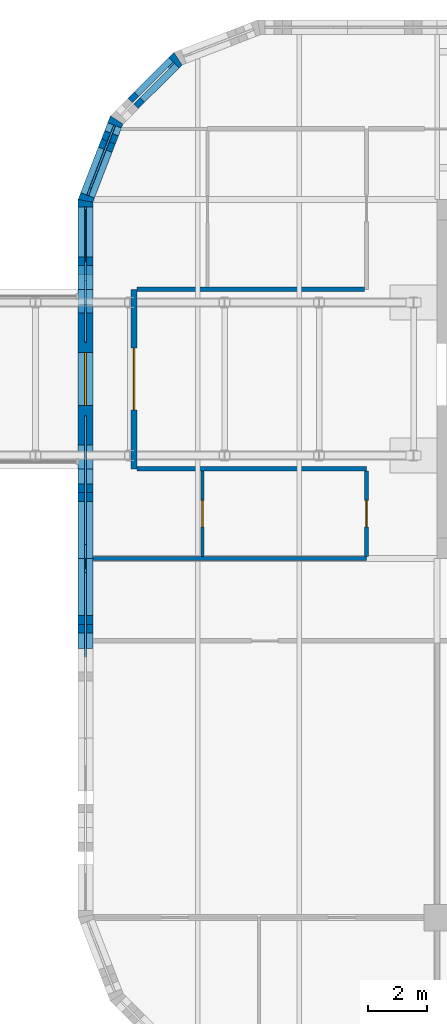
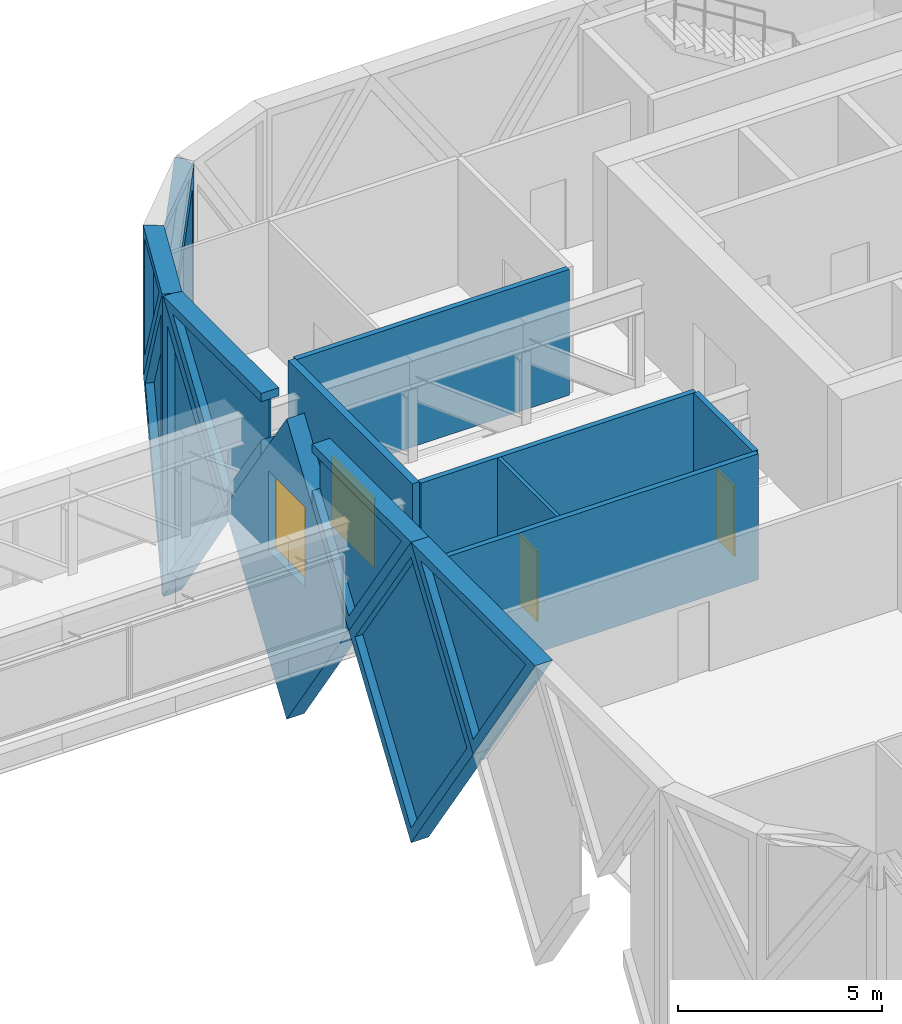
# One storey, part 22 of 30: 15 walls, 8 plates, 4 doors, 12 openings.
"""IFC4 building model written with IfcOpenShell, lengths in metres."""

import ifcopenshell
import ifcopenshell.guid

model = None  # the IFC model being written
_history = None  # IfcOwnerHistory: only IFC2X3 demands one
_inside = {}  # id of a spatial element -> (the spatial element, [elements in it])
_under = {}  # id of a project, library or spatial element -> (it, [spatial elements below it])
_declared = {}  # id of a project -> (the project, [libraries it declares])
_typed = {}  # id of a type object -> (the type object, [elements of that type])
_made_of = {}  # id of a material, layer set ... -> (it, [elements and type objects made of it])


def new_model(schema):
    """Start an empty IFC model of exactly this schema.

    Asked for "IFC4X3", IfcOpenShell would pick the latest addendum, in which some entities
    have other attributes; the version numbers below select the first issue.
    IFC2X3 requires an IfcOwnerHistory on every rooted entity: one is made here for all.
    """
    global model, _history
    if schema == "IFC4X3":
        model = ifcopenshell.file(schema_version=(4, 3, 0, 0))
    else:
        model = ifcopenshell.file(schema=schema)
    _inside.clear()
    _under.clear()
    _declared.clear()
    _typed.clear()
    _made_of.clear()
    _history = None
    if model.schema == "IFC2X3":
        org = make("IfcOrganization", Name="unknown")
        user = make(
            "IfcPersonAndOrganization",
            ThePerson=make("IfcPerson", FamilyName="unknown"),
            TheOrganization=org,
        )
        app = make(
            "IfcApplication",
            ApplicationDeveloper=org,
            Version="unknown",
            ApplicationFullName="unknown",
            ApplicationIdentifier="unknown",
        )
        _history = make(
            "IfcOwnerHistory",
            OwningUser=user,
            OwningApplication=app,
            ChangeAction="ADDED",
            CreationDate=0,
        )
    return model


def make(cls, **values):
    """One entity of the class cls with the attributes given. An attribute that is None is left unset."""
    return model.create_entity(
        cls, **{name: value for name, value in values.items() if value is not None}
    )


def rooted(cls, **values):
    """An entity with a GlobalId (a new one), such as an element, a storey or a relation."""
    return make(cls, GlobalId=ifcopenshell.guid.new(), OwnerHistory=_history, **values)


def si_unit(unit_type, name, prefix=None):
    """IfcSIUnit, for example si_unit("LENGTHUNIT", "METRE", prefix="MILLI")."""
    return make("IfcSIUnit", UnitType=unit_type, Prefix=prefix, Name=name)


def assignment(units):
    """IfcUnitAssignment: the units of a project."""
    return None if units is None else make("IfcUnitAssignment", Units=units)


def point(xyz):
    """IfcCartesianPoint."""
    return None if xyz is None else make("IfcCartesianPoint", Coordinates=xyz)


def direction(xyz):
    """IfcDirection."""
    return None if xyz is None else make("IfcDirection", DirectionRatios=xyz)


def frame(location, z_axis=None, x_axis=None):
    """IfcAxis2Placement3D, a coordinate frame: its origin and axes. An axis left out is left unset."""
    return make(
        "IfcAxis2Placement3D",
        Location=point(location),
        Axis=direction(z_axis),
        RefDirection=direction(x_axis),
    )


def frame_2d(location, x_axis=None):
    """IfcAxis2Placement2D, a coordinate frame in the plane: its origin and x axis."""
    return make(
        "IfcAxis2Placement2D", Location=point(location), RefDirection=direction(x_axis)
    )


def origin():
    """The frame at (0, 0, 0) with its axes left unset."""
    return frame((0.0, 0.0, 0.0))


def place(relative_to, where):
    """IfcLocalPlacement: puts the frame where relative to a parent placement (None: the world)."""
    return make(
        "IfcLocalPlacement", PlacementRelTo=relative_to, RelativePlacement=where
    )


def context(
    kind, dimensions, precision=None, world=None, true_north=None, identifier=None
):
    """IfcGeometricRepresentationContext, for example the 3D "Model" context."""
    return make(
        "IfcGeometricRepresentationContext",
        ContextIdentifier=identifier,
        ContextType=kind,
        CoordinateSpaceDimension=dimensions,
        Precision=precision,
        WorldCoordinateSystem=world,
        TrueNorth=true_north,
    )


def subcontext(parent, identifier, kind, view, scale=None):
    """IfcGeometricRepresentationSubContext, for example "Body" below "Model"."""
    return make(
        "IfcGeometricRepresentationSubContext",
        ContextIdentifier=identifier,
        ContextType=kind,
        ParentContext=parent,
        TargetScale=scale,
        TargetView=view,
    )


def project(units=None, contexts=None):
    """IfcProject with its units and contexts."""
    return rooted(
        "IfcProject",
        Name="project",
        RepresentationContexts=contexts,
        UnitsInContext=assignment(units),
    )


def spatial(cls, under=None, at=None, **own):
    """A site, building, storey or space (cls), placed at a placement, below another one or the project."""
    s = rooted(cls, ObjectPlacement=at, **own)
    if under is not None:
        _under.setdefault(under.id(), (under, []))[1].append(s)
    return s


def polyline(points):
    """IfcPolyline through the points."""
    return make("IfcPolyline", Points=[point(p) for p in points])


def profile(cls, at=None, kind="AREA", **sizes):
    """A parametric profile (cls). Its sizes go by their IFC names, for example OverallWidth=200.0."""
    return make(cls, ProfileType=kind, Position=at, **sizes)


def rectangle(**sizes):
    """IfcRectangleProfileDef."""
    return profile("IfcRectangleProfileDef", **sizes)


def outline(outer, holes=None, kind="AREA"):
    """IfcArbitraryClosedProfileDef: a profile drawn as a closed curve; with holes, ...WithVoids."""
    if holes is None:
        return make("IfcArbitraryClosedProfileDef", ProfileType=kind, OuterCurve=outer)
    return make(
        "IfcArbitraryProfileDefWithVoids",
        ProfileType=kind,
        OuterCurve=outer,
        InnerCurves=holes,
    )


def extrude(swept, where, along, depth):
    """IfcExtrudedAreaSolid: the profile swept, set in the frame where, extruded along a direction by depth."""
    return make(
        "IfcExtrudedAreaSolid",
        SweptArea=swept,
        Position=where,
        ExtrudedDirection=direction(along),
        Depth=depth,
    )


def faces_of(points, faces, orient=None, outer=None):
    """IfcFace entities. A face is a list of loops; a loop is a list of indices into points, from 0.

    orient and outer hold one flag for each loop. By default every Orientation is true, the
    first loop of a face is its IfcFaceOuterBound and the others are IfcFaceBound.
    """
    made = []
    for i, loops in enumerate(faces):
        bounds = []
        for j, loop in enumerate(loops):
            is_outer = j == 0 if outer is None else outer[i][j]
            bounds.append(
                make(
                    "IfcFaceOuterBound" if is_outer else "IfcFaceBound",
                    Bound=make("IfcPolyLoop", Polygon=[points[k] for k in loop]),
                    Orientation=True if orient is None else orient[i][j],
                )
            )
        made.append(make("IfcFace", Bounds=bounds))
    return made


def faceted_brep(points, faces, orient=None, outer=None, voids=None):
    """IfcFacetedBrep: a solid bounded by flat faces; with voids (closed shells), ...WithVoids."""
    shared = [point(p) for p in points]
    hull = make("IfcClosedShell", CfsFaces=faces_of(shared, faces, orient, outer))
    if voids is None:
        return make("IfcFacetedBrep", Outer=hull)
    return make(
        "IfcFacetedBrepWithVoids",
        Outer=hull,
        Voids=[
            make(cls, CfsFaces=faces_of(shared, fs, o, b)) for cls, fs, o, b in voids
        ],
    )


def shape(context_of_items, identifier, shape_type, items):
    """IfcShapeRepresentation: the items that make up one representation, for example the "Body"."""
    return make(
        "IfcShapeRepresentation",
        ContextOfItems=context_of_items,
        RepresentationIdentifier=identifier,
        RepresentationType=shape_type,
        Items=items,
    )


def source(mapping_origin, context_of_items, identifier, shape_type, items):
    """IfcRepresentationMap: a shape defined once, which mapped items show again and again."""
    return make(
        "IfcRepresentationMap",
        MappingOrigin=mapping_origin,
        MappedRepresentation=shape(context_of_items, identifier, shape_type, items),
    )


def transform(
    local_origin,
    x_axis=None,
    y_axis=None,
    z_axis=None,
    scale=None,
    scale2=None,
    scale3=None,
    uniform=True,
):
    """IfcCartesianTransformationOperator3D, or its non-uniform kind. x_axis, y_axis, z_axis: its Axis1, 2, 3."""
    if uniform:
        return make(
            "IfcCartesianTransformationOperator3D",
            Axis1=direction(x_axis),
            Axis2=direction(y_axis),
            LocalOrigin=point(local_origin),
            Scale=scale,
            Axis3=direction(z_axis),
        )
    return make(
        "IfcCartesianTransformationOperator3DnonUniform",
        Axis1=direction(x_axis),
        Axis2=direction(y_axis),
        LocalOrigin=point(local_origin),
        Scale=scale,
        Axis3=direction(z_axis),
        Scale2=scale2,
        Scale3=scale3,
    )


def mapped(mapping_source, mapping_target):
    """IfcMappedItem: shows the shape of a source again, moved by a transform."""
    return make(
        "IfcMappedItem", MappingSource=mapping_source, MappingTarget=mapping_target
    )


def material(Name=None, Category=None):
    """IfcMaterial."""
    return make("IfcMaterial", Name=Name, Category=Category)


def layer(
    of_material, thickness, ventilated=None, Name=None, Category=None, Priority=None
):
    """IfcMaterialLayer: one layer of a wall or slab, of a material (None: an air gap)."""
    return make(
        "IfcMaterialLayer",
        Material=of_material,
        LayerThickness=thickness,
        IsVentilated=ventilated,
        Name=Name,
        Category=Category,
        Priority=Priority,
    )


def layer_set(layers, Name=None):
    """IfcMaterialLayerSet."""
    return make("IfcMaterialLayerSet", MaterialLayers=layers, LayerSetName=Name)


def made_of(thing, what):
    """Note that an element or type object is made of a material, layer set ...; save() writes the relation."""
    if what is not None:
        _made_of.setdefault(what.id(), (what, []))[1].append(thing)
    return thing


def type_object(cls, material=None, **own):
    """A type object (cls), such as IfcWallType, which elements share."""
    return made_of(rooted(cls, **own), material)


def element(
    cls,
    number,
    at=None,
    inside=None,
    cuts=None,
    type_object=None,
    material=None,
    context=None,
    identifier="Body",
    shape_type=None,
    held_by="IfcProductDefinitionShape",
    body=None,
    shapes=None,
    **own,
):
    """One element of the class cls, such as IfcWall. Its Tag is "e" and its number.

    at: its placement. inside: the storey or other place that contains it. cuts: it is an
    opening in that element (IfcRelVoidsElement). A single representation is given by context,
    identifier, shape_type and body (its items); several are given by shapes. held_by: the class
    of the entity that holds the representations. save() writes the other relations.
    """
    e = rooted(cls, Tag="e%d" % number, ObjectPlacement=at, **own)
    if body is not None:
        shapes = [shape(context, identifier, shape_type, body)]
    if shapes is not None:
        e.Representation = make(held_by, Representations=shapes)
    if inside is not None:
        _inside.setdefault(inside.id(), (inside, []))[1].append(e)
    if cuts is not None:
        rooted(
            "IfcRelVoidsElement", RelatingBuildingElement=cuts, RelatedOpeningElement=e
        )
    if type_object is not None:
        _typed.setdefault(type_object.id(), (type_object, []))[1].append(e)
    return made_of(e, material)


def fill(opening, filler):
    """IfcRelFillsElement: the door or window that sits in an opening."""
    return rooted(
        "IfcRelFillsElement",
        RelatingOpeningElement=opening,
        RelatedBuildingElement=filler,
    )


def aggregate(whole, parts):
    """IfcRelAggregates: a whole, such as a stair, and the parts it consists of."""
    return rooted("IfcRelAggregates", RelatingObject=whole, RelatedObjects=parts)


def save(model, path):
    """Write the relations noted so far, then the file.

    IfcRelAggregates (storeys below a building ...), IfcRelContainedInSpatialStructure (elements
    in a storey), IfcRelDefinesByType, IfcRelAssociatesMaterial and IfcRelDeclares: one each for
    every whole, place, type object, material and project.
    """
    for whole, parts in _under.values():
        aggregate(whole, parts)
    for where, things in _inside.values():
        rooted(
            "IfcRelContainedInSpatialStructure",
            RelatedElements=things,
            RelatingStructure=where,
        )
    for kind, things in _typed.values():
        rooted("IfcRelDefinesByType", RelatedObjects=things, RelatingType=kind)
    for what, things in _made_of.values():
        rooted("IfcRelAssociatesMaterial", RelatedObjects=things, RelatingMaterial=what)
    for by, libraries in _declared.values():
        rooted("IfcRelDeclares", RelatingContext=by, RelatedDefinitions=libraries)
    model.write(path)


model = new_model("IFC4")

# Units and contexts
model_context = context("Model", 3, precision=1e-05, world=origin(), true_north=direction((0.0, 1.0)))
body_context = subcontext(model_context, "Body", "Model", "MODEL_VIEW")
ifc_project = project(units=[si_unit("LENGTHUNIT", "METRE"), si_unit("AREAUNIT", "SQUARE_METRE"), si_unit("VOLUMEUNIT", "CUBIC_METRE"), si_unit("PLANEANGLEUNIT", "RADIAN"), si_unit("MASSUNIT", "GRAM", prefix="KILO")], contexts=[model_context])

# Site, building, storey
site_placement = place(None, origin())
site = spatial("IfcSite", under=ifc_project, at=site_placement, CompositionType="ELEMENT")
building_placement = place(site_placement, origin())
building = spatial("IfcBuilding", under=site, at=building_placement, Name="Tessera Gate Towers", CompositionType="ELEMENT")
storey_placement = place(building_placement, frame((0.0, 0.0, 21.300048828125)))
storey = spatial("IfcBuildingStorey", under=building, at=storey_placement, Name="L04", CompositionType="ELEMENT", Elevation=21.300048828125)

# Wall, opening, door
ifc_material_1 = material(Name="Gypsum board on steel studs", Category="steel")
ifc_layer_1 = layer(ifc_material_1, 0.199951171875)
ifc_layer_set_1 = layer_set([ifc_layer_1], Name="BRIDGE LANDING WALL 200")
wall_type_1 = type_object("IfcWallType", Name="BRIDGE LANDING WALL 200", PredefinedType="PARTITIONING", material=ifc_layer_set_1)
wall_1_placement = place(storey_placement, frame((87.300048828125, 45.75, 0.0), z_axis=(0.0, 0.0, 1.0), x_axis=(0.0, -1.0, 0.0)))
wall_1 = element("IfcWall", 1, at=wall_1_placement, inside=storey, type_object=wall_type_1, Name="L04 bridge landing wall", PredefinedType="PARTITIONING", context=body_context, shape_type="SweptSolid", body=[
    extrude(rectangle(XDim=6.10009765625, YDim=0.199951171875, at=frame_2d((3.050048828125, 0.0))), origin(), (0.0, 0.0, 1.0), 3.766845703125),
])
shared_shape_1 = source(origin(), body_context, "Body", "SweptSolid", [
    extrude(rectangle(XDim=2.10009765625, YDim=2.10009765625, at=frame_2d((1.050048828125, 1.050048828125))), frame((0.0, 0.10986328125, 0.0), z_axis=(0.0, -1.0, 0.0), x_axis=(1.0, 0.0, 0.0)), (0.0, 0.0, 1.0), 0.219970703125),
])
opening_1_placement = place(wall_1_placement, frame((2.0, 0.0, 0.0)))
opening_1 = element("IfcOpeningElement", 2, at=opening_1_placement, cuts=wall_1, Name="Opening XD-BR1-T2", PredefinedType="OPENING", context=body_context, shape_type="MappedRepresentation", body=[
    mapped(shared_shape_1, transform((0.0, 0.0, 0.0), scale=1.0)),
])
ifc_material_2 = material(Name="Hollow steel fire door", Category="steel")
door_type_1 = type_object("IfcDoorType", Name="CORE DOOR XD 2100x2100", OperationType="NOTDEFINED", PredefinedType="DOOR", material=ifc_material_2)
shared_shape_2 = source(origin(), body_context, "Body", "SweptSolid", [
    extrude(rectangle(XDim=2.10009765625, YDim=2.10009765625, at=frame_2d((1.050048828125, 1.050048828125))), frame((0.0, 0.02490234375, 0.0), z_axis=(0.0, -1.0, 0.0), x_axis=(1.0, 0.0, 0.0)), (0.0, 0.0, 1.0), 0.050048828125),
])
door_1_placement = place(opening_1_placement, origin())
door_1 = element("IfcDoor", 3, at=door_1_placement, inside=storey, type_object=door_type_1, Name="Bridge fire door", OperationType="DOUBLE_DOOR_SINGLE_SWING", OverallHeight=2.10009765625, OverallWidth=2.10009765625, PredefinedType="DOOR", context=body_context, shape_type="MappedRepresentation", body=[
    mapped(shared_shape_2, transform((0.0, 0.0, 0.0), scale=1.0)),
])
fill(opening_1, door_1)

# Wall
ifc_material_3 = material(Name="Gypsum board on steel studs, mineral wool", Category="steel")
ifc_layer_2 = layer(ifc_material_3, 0.14990234375)
ifc_layer_set_2 = layer_set([ifc_layer_2], Name="CORRIDOR WALL 150")
wall_type_2 = type_object("IfcWallType", Name="CORRIDOR WALL 150", PredefinedType="PARTITIONING", material=ifc_layer_set_2)
wall_2_placement = place(storey_placement, frame((85.89990234375, 36.60009765625, 0.0), z_axis=(0.0, 0.0, 1.0), x_axis=(1.0, 0.0, 0.0)))
element("IfcWall", 4, at=wall_2_placement, inside=storey, type_object=wall_type_2, Name="T2-L04-PW-024", PredefinedType="PARTITIONING", context=body_context, shape_type="SweptSolid", body=[
    extrude(rectangle(XDim=9.300048828125, YDim=0.14990234375, at=frame_2d((4.64990234375, 0.0))), origin(), (0.0, 0.0, 1.0), 3.766845703125),
])

# Wall, opening, door
wall_3_placement = place(storey_placement, frame((95.199951171875, 36.676025390625, 0.0), z_axis=(0.0, 0.0, 1.0), x_axis=(0.0, 1.0, 0.0)))
wall_3 = element("IfcWall", 5, at=wall_3_placement, inside=storey, type_object=wall_type_2, Name="T2-L04-PW-028", PredefinedType="PARTITIONING", context=body_context, shape_type="SweptSolid", body=[
    extrude(rectangle(XDim=2.89794921875, YDim=0.14990234375, at=frame_2d((1.448974609375, 0.0))), origin(), (0.0, 0.0, 1.0), 3.766845703125),
])
shared_shape_3 = source(origin(), body_context, "Body", "SweptSolid", [
    extrude(rectangle(XDim=0.89990234375, YDim=2.10009765625, at=frame_2d((0.449951171875, 1.050048828125))), frame((0.0, 0.0849609375, 0.0), z_axis=(0.0, -1.0, 0.0), x_axis=(1.0, 0.0, 0.0)), (0.0, 0.0, 1.0), 0.169921875),
])
opening_2_placement = place(wall_3_placement, frame((1.0, 0.0, 0.0)))
opening_2 = element("IfcOpeningElement", 6, at=opening_2_placement, cuts=wall_3, Name="Opening D890FD60-B02-05", PredefinedType="OPENING", context=body_context, shape_type="MappedRepresentation", body=[
    mapped(shared_shape_3, transform((0.0, 0.0, 0.0), scale=1.0)),
])
ifc_material_4 = material(Name="Timber door leaf in steel frame", Category="steel")
door_type_2 = type_object("IfcDoorType", Name="CORRIDOR DOOR 900 FD60", OperationType="NOTDEFINED", PredefinedType="DOOR", material=ifc_material_4)
shared_shape_4 = source(origin(), body_context, "Body", "SweptSolid", [
    extrude(rectangle(XDim=0.89990234375, YDim=2.10009765625, at=frame_2d((0.449951171875, 1.050048828125))), frame((0.0, 0.02490234375, 0.0), z_axis=(0.0, -1.0, 0.0), x_axis=(1.0, 0.0, 0.0)), (0.0, 0.0, 1.0), 0.050048828125),
])
door_2_placement = place(opening_2_placement, origin())
door_2 = element("IfcDoor", 7, at=door_2_placement, inside=storey, type_object=door_type_2, Name="T2-L04-PD-020", OperationType="SINGLE_SWING_LEFT", OverallHeight=2.10009765625, OverallWidth=0.89990234375, PredefinedType="DOOR", context=body_context, shape_type="MappedRepresentation", body=[
    mapped(shared_shape_4, transform((0.0, 0.0, 0.0), scale=1.0)),
])
fill(opening_2, door_2)

# Walls
wall_4_placement = place(storey_placement, frame((87.39990234375, 39.64990234375, 0.0), z_axis=(0.0, 0.0, 1.0), x_axis=(1.0, 0.0, 0.0)))
element("IfcWall", 8, at=wall_4_placement, inside=storey, type_object=wall_type_2, Name="T2-L04-PW-030", PredefinedType="PARTITIONING", context=body_context, shape_type="SweptSolid", body=[
    extrude(rectangle(XDim=7.800048828125, YDim=0.14990234375, at=frame_2d((3.89990234375, 0.0))), origin(), (0.0, 0.0, 1.0), 3.766845703125),
])
wall_5_placement = place(storey_placement, frame((87.39990234375, 45.75, 0.0), z_axis=(0.0, 0.0, 1.0), x_axis=(1.0, 0.0, 0.0)))
element("IfcWall", 9, at=wall_5_placement, inside=storey, type_object=wall_type_2, Name="T2-L04-PW-035", PredefinedType="PARTITIONING", context=body_context, shape_type="SweptSolid", body=[
    extrude(rectangle(XDim=7.72412109375, YDim=0.14990234375, at=frame_2d((3.862060546875, 0.0))), origin(), (0.0, 0.0, 1.0), 3.766845703125),
])

# Wall, opening, door
ifc_material_5 = material(Name="Gypsum board on steel studs", Category="steel")
ifc_layer_3 = layer(ifc_material_5, 0.10009765625)
ifc_layer_set_3 = layer_set([ifc_layer_3], Name="PARTITION 100")
wall_type_3 = type_object("IfcWallType", Name="PARTITION 100", PredefinedType="PARTITIONING", material=ifc_layer_set_3)
wall_6_placement = place(storey_placement, frame((89.6201171875, 36.676025390625, 0.0), z_axis=(0.0, 0.0, 1.0), x_axis=(0.0, 1.0, 0.0)))
wall_6 = element("IfcWall", 10, at=wall_6_placement, inside=storey, type_object=wall_type_3, Name="T2-L04-PW-027", PredefinedType="PARTITIONING", context=body_context, shape_type="SweptSolid", body=[
    extrude(rectangle(XDim=2.89794921875, YDim=0.10009765625, at=frame_2d((1.448974609375, 0.0))), origin(), (0.0, 0.0, 1.0), 3.766845703125),
])
shared_shape_5 = source(origin(), body_context, "Body", "SweptSolid", [
    extrude(rectangle(XDim=0.89990234375, YDim=2.10009765625, at=frame_2d((0.449951171875, 1.050048828125))), frame((0.0, 0.06005859375, 0.0), z_axis=(0.0, -1.0, 0.0), x_axis=(1.0, 0.0, 0.0)), (0.0, 0.0, 1.0), 0.1201171875),
])
opening_3_placement = place(wall_6_placement, frame((1.0, 0.0, 0.0)))
opening_3 = element("IfcOpeningElement", 11, at=opening_3_placement, cuts=wall_6, Name="Opening D190-B02-01", PredefinedType="OPENING", context=body_context, shape_type="MappedRepresentation", body=[
    mapped(shared_shape_5, transform((0.0, 0.0, 0.0), scale=1.0)),
])
ifc_material_6 = material(Name="Timber door leaf in steel frame", Category="steel")
door_type_3 = type_object("IfcDoorType", Name="INTERNAL DOOR 900 NOT RATED", OperationType="NOTDEFINED", PredefinedType="DOOR", material=ifc_material_6)
door_3_placement = place(opening_3_placement, origin())
door_3 = element("IfcDoor", 12, at=door_3_placement, inside=storey, type_object=door_type_3, Name="T2-L04-PD-001", OperationType="SINGLE_SWING_LEFT", OverallHeight=2.10009765625, OverallWidth=0.89990234375, PredefinedType="DOOR", context=body_context, shape_type="MappedRepresentation", body=[
    mapped(shared_shape_4, transform((0.0, 0.0, 0.0), scale=1.0)),
])
fill(opening_3, door_3)

# Wall, opening, plate
ifc_material_7 = material(Name="Precast concrete C60/75 white", Category="concrete")
ifc_layer_4 = layer(ifc_material_7, 0.5)
ifc_layer_set_4 = layer_set([ifc_layer_4], Name="TS1 tessera")
wall_type_4 = type_object("IfcWallType", Name="TS1 tessera", PredefinedType="SOLIDWALL", material=ifc_layer_set_4)
shared_shape_6 = source(origin(), body_context, "Body", "Brep", [
    faceted_brep([(3.050048828125, -0.25, 0.0), (6.099853515625, -0.25, 4.499755859375), (6.099853515625, -0.25, 4.500244140625), (3.050048828125, -0.25, 9.0), (0.0, -0.25, 4.5), (0.0, 0.25, 4.5), (3.050048828125, 0.25, 9.0), (6.099853515625, 0.25, 4.500244140625), (6.099853515625, 0.25, 4.499755859375), (3.050048828125, 0.25, 0.0)], [[[0, 1, 2, 3, 4]], [[5, 6, 7, 8, 9]], [[9, 8, 1, 0]], [[7, 6, 3, 2]], [[6, 5, 4, 3]], [[5, 9, 0, 4]], [[1, 8, 7, 2]]]),
])
wall_7_placement = place(storey_placement, frame((85.64990234375, 39.64990234375, -4.5), z_axis=(0.0, 0.0, 1.0), x_axis=(0.0, -1.0, 0.0)))
wall_7 = element("IfcWall", 13, at=wall_7_placement, inside=storey, type_object=wall_type_4, Name="Precast tessera T2 TS1-0016", PredefinedType="SOLIDWALL", context=body_context, shape_type="MappedRepresentation", body=[
    mapped(shared_shape_6, transform((0.0, 0.0, 0.0), scale=1.0)),
])
shared_shape_7 = source(origin(), body_context, "Body", "SweptSolid", [
    extrude(outline(polyline([(3.050048828125, 0.445556640625), (5.798095703125, 4.5), (3.050048828125, 8.554443359375), (0.302001953125, 4.5), (3.050048828125, 0.445556640625)])), frame((0.0, 0.260009765625, 0.0), z_axis=(0.0, -1.0, 0.0), x_axis=(1.0, 0.0, 0.0)), (0.0, 0.0, 1.0), 0.52001953125),
])
opening_4_placement = place(wall_7_placement, origin())
opening_4 = element("IfcOpeningElement", 14, at=opening_4_placement, cuts=wall_7, Name="Opening T2-PL2-0028", PredefinedType="OPENING", context=body_context, shape_type="MappedRepresentation", body=[
    mapped(shared_shape_7, transform((0.0, 0.0, 0.0), scale=1.0)),
])
ifc_material_8 = material(Name="Low-e laminated glass", Category="glass")
ifc_layer_5 = layer(ifc_material_8, 0.06005859375)
ifc_layer_set_5 = layer_set([ifc_layer_5], Name="PL2 rhombic pane")
plate_type_1 = type_object("IfcPlateType", Name="PL2 rhombic pane", PredefinedType="SHEET", material=ifc_layer_set_5)
shared_shape_8 = source(origin(), body_context, "Body", "SweptSolid", [
    extrude(outline(polyline([(3.050048828125, 0.445556640625), (5.798095703125, 4.5), (3.050048828125, 8.554443359375), (0.302001953125, 4.5), (3.050048828125, 0.445556640625)])), frame((0.0, 0.030029296875, 0.0), z_axis=(0.0, -1.0, 0.0), x_axis=(1.0, 0.0, 0.0)), (0.0, 0.0, 1.0), 0.06005859375),
])
plate_1_placement = place(opening_4_placement, origin())
plate_1 = element("IfcPlate", 15, at=plate_1_placement, inside=storey, type_object=plate_type_1, Name="Glass pane T2 PL2-0028", PredefinedType="SHEET", context=body_context, shape_type="MappedRepresentation", body=[
    mapped(shared_shape_8, transform((0.0, 0.0, 0.0), scale=1.0)),
])
fill(opening_4, plate_1)

# Wall, opening, door
ifc_material_9 = material(Name="Precast concrete C60/75 white", Category="concrete")
ifc_layer_6 = layer(ifc_material_9, 0.5)
ifc_layer_set_6 = layer_set([ifc_layer_6], Name="TS4 bridge door tessera")
wall_type_5 = type_object("IfcWallType", Name="TS4 bridge door tessera", PredefinedType="SOLIDWALL", material=ifc_layer_set_6)
shared_shape_9 = source(origin(), body_context, "Body", "SweptSolid", [
    extrude(outline(polyline([(3.050048828125, 0.0), (6.10009765625, 4.5), (3.050048828125, 9.0), (0.0, 4.5), (3.050048828125, 0.0)])), frame((0.0, 0.25, 0.0), z_axis=(0.0, -1.0, 0.0), x_axis=(1.0, 0.0, 0.0)), (0.0, 0.0, 1.0), 0.5),
])
wall_8_placement = place(storey_placement, frame((85.64990234375, 45.75, -4.5), z_axis=(0.0, 0.0, 1.0), x_axis=(0.0, -1.0, 0.0)))
wall_8 = element("IfcWall", 16, at=wall_8_placement, inside=storey, type_object=wall_type_5, Name="Precast bridge door tessera T2 TS4-0002", PredefinedType="SOLIDWALL", context=body_context, shape_type="MappedRepresentation", body=[
    mapped(shared_shape_9, transform((0.0, 0.0, 0.0), scale=1.0)),
])
shared_shape_10 = source(origin(), body_context, "Body", "SweptSolid", [
    extrude(rectangle(XDim=1.800048828125, YDim=2.39990234375, at=frame_2d((0.89990234375, 1.199951171875))), frame((0.0, 0.260009765625, 0.0), z_axis=(0.0, -1.0, 0.0), x_axis=(1.0, 0.0, 0.0)), (0.0, 0.0, 1.0), 0.52001953125),
])
opening_5_placement = place(wall_8_placement, frame((2.14990234375, 0.0, 4.5)))
opening_5 = element("IfcOpeningElement", 17, at=opening_5_placement, cuts=wall_8, Name="Opening D-E201", PredefinedType="OPENING", context=body_context, shape_type="MappedRepresentation", body=[
    mapped(shared_shape_10, transform((0.0, 0.0, 0.0), scale=1.0)),
])
ifc_material_10 = material(Name="Steel and glass fire door", Category="steel")
ifc_layer_7 = layer(ifc_material_10, 0.06005859375)
ifc_layer_set_7 = layer_set([ifc_layer_7], Name="DL5 tessera fire door")
door_type_4 = type_object("IfcDoorType", Name="DL5 tessera fire door", OperationType="DOUBLE_DOOR_SINGLE_SWING", PredefinedType="DOOR", material=ifc_layer_set_7)
shared_shape_11 = source(origin(), body_context, "Body", "SweptSolid", [
    extrude(rectangle(XDim=1.800048828125, YDim=2.39990234375, at=frame_2d((0.89990234375, 1.199951171875))), frame((0.0, 0.030029296875, 0.0), z_axis=(0.0, -1.0, 0.0), x_axis=(1.0, 0.0, 0.0)), (0.0, 0.0, 1.0), 0.06005859375),
])
door_4_placement = place(opening_5_placement, origin())
door_4 = element("IfcDoor", 18, at=door_4_placement, inside=storey, type_object=door_type_4, Name="Bridge door D-E201", OperationType="DOUBLE_DOOR_SINGLE_SWING", OverallHeight=2.39990234375, OverallWidth=1.800048828125, PredefinedType="DOOR", context=body_context, shape_type="MappedRepresentation", body=[
    mapped(shared_shape_11, transform((0.0, 0.0, 0.0), scale=1.0)),
])
fill(opening_5, door_4)

# Wall, opening, plate
ifc_material_11 = material(Name="Precast concrete C60/75 white", Category="concrete")
ifc_layer_8 = layer(ifc_material_11, 0.5)
ifc_layer_set_8 = layer_set([ifc_layer_8], Name="TS3 corner tessera")
wall_type_6 = type_object("IfcWallType", Name="TS3 corner tessera", PredefinedType="SOLIDWALL", material=ifc_layer_set_8)
shared_shape_12 = source(origin(), body_context, "Body", "Brep", [
    faceted_brep([(0.052978515625, -0.25, 0.0), (2.9970703125, -0.25, 4.5), (0.052978515625, -0.25, 9.0), (0.0, -0.25, 8.919189453125), (0.0, -0.25, 0.080810546875), (0.10595703125, 0.25, 8.919189453125), (2.944091796875, 0.25, 4.580810546875), (2.944091796875, 0.25, 4.419189453125), (0.10595703125, 0.25, 0.080810546875), (2.9970703125, 0.000244140625, 4.5), (0.052978515625, 0.0, 0.0), (0.052978515625, 0.0, 9.0)], [[[0, 1, 2, 3, 4]], [[5, 6, 7, 8]], [[8, 7, 9, 1, 0, 10]], [[6, 5, 11, 2, 1, 9]], [[3, 2, 11]], [[10, 0, 4]], [[8, 10, 4, 3, 11, 5]], [[9, 7, 6]]]),
])
wall_9_placement = place(storey_placement, frame((88.831298828125, 53.62548828125, -4.5), z_axis=(0.0, 0.0, 1.0), x_axis=(-0.707147509625, -0.707066050402, 0.0)))
wall_9 = element("IfcWall", 19, at=wall_9_placement, inside=storey, type_object=wall_type_6, Name="Precast corner tessera T2 TS3-0026", PredefinedType="SOLIDWALL", context=body_context, shape_type="MappedRepresentation", body=[
    mapped(shared_shape_12, transform((0.0, 0.0, 0.0), scale=1.0)),
])
shared_shape_13 = source(origin(), body_context, "Body", "SweptSolid", [
    extrude(outline(polyline([(0.2529296875, 0.76220703125), (2.698486328125, 4.5), (0.2529296875, 8.237548828125), (0.2529296875, 0.76220703125)])), frame((0.0, 0.260009765625, 0.0), z_axis=(0.0, -1.0, 0.0), x_axis=(1.0, 0.0, 0.0)), (0.0, 0.0, 1.0), 0.52001953125),
])
opening_6_placement = place(wall_9_placement, origin())
opening_6 = element("IfcOpeningElement", 20, at=opening_6_placement, cuts=wall_9, Name="Opening T2-PL2-0025", PredefinedType="OPENING", context=body_context, shape_type="MappedRepresentation", body=[
    mapped(shared_shape_13, transform((0.0, 0.0, 0.0), scale=1.0)),
])
shared_shape_14 = source(origin(), body_context, "Body", "SweptSolid", [
    extrude(outline(polyline([(0.2529296875, 0.76220703125), (2.698486328125, 4.5), (0.2529296875, 8.237548828125), (0.2529296875, 0.76220703125)])), frame((0.0, 0.030029296875, 0.0), z_axis=(0.0, -1.0, 0.0), x_axis=(1.0, 0.0, 0.0)), (0.0, 0.0, 1.0), 0.06005859375),
])
plate_2_placement = place(opening_6_placement, origin())
plate_2 = element("IfcPlate", 21, at=plate_2_placement, inside=storey, type_object=plate_type_1, Name="Glass pane T2 PL2-0025", PredefinedType="SHEET", context=body_context, shape_type="MappedRepresentation", body=[
    mapped(shared_shape_14, transform((0.0, 0.0, 0.0), scale=1.0)),
])
fill(opening_6, plate_2)

shared_shape_15 = source(origin(), body_context, "Body", "Brep", [
    faceted_brep([(0.046630859375, -0.25, 0.0), (3.050048828125, -0.25, 4.5), (0.046630859375, -0.25, 9.0), (0.0, -0.25, 8.928955078125), (0.0, -0.25, 0.071044921875), (0.09326171875, 0.25, 8.93017578125), (3.050048828125, 0.25, 4.5), (0.09326171875, 0.25, 0.06982421875), (0.046630859375, 0.0, 0.0), (0.046630859375, 0.0, 9.0)], [[[0, 1, 2, 3, 4]], [[5, 6, 7]], [[7, 6, 1, 0, 8]], [[6, 5, 9, 2, 1]], [[3, 2, 9]], [[8, 0, 4]], [[7, 8, 4, 3, 9, 5]]]),
])
wall_10_placement = place(storey_placement, frame((85.64990234375, 48.800048828125, -4.5), z_axis=(0.0, 0.0, 1.0), x_axis=(0.0, -1.0, 0.0)))
wall_10 = element("IfcWall", 22, at=wall_10_placement, inside=storey, type_object=wall_type_6, Name="Precast corner tessera T2 TS3-0028", PredefinedType="SOLIDWALL", context=body_context, shape_type="MappedRepresentation", body=[
    mapped(shared_shape_15, transform((0.0, 0.0, 0.0), scale=1.0)),
])
shared_shape_16 = source(origin(), body_context, "Body", "SweptSolid", [
    extrude(outline(polyline([(0.24658203125, 0.75), (2.74951171875, 4.5), (0.24658203125, 8.25), (0.24658203125, 0.75)])), frame((0.0, 0.260009765625, 0.0), z_axis=(0.0, -1.0, 0.0), x_axis=(1.0, 0.0, 0.0)), (0.0, 0.0, 1.0), 0.52001953125),
])
opening_7_placement = place(wall_10_placement, origin())
opening_7 = element("IfcOpeningElement", 23, at=opening_7_placement, cuts=wall_10, Name="Opening T2-PL2-0027", PredefinedType="OPENING", context=body_context, shape_type="MappedRepresentation", body=[
    mapped(shared_shape_16, transform((0.0, 0.0, 0.0), scale=1.0)),
])
shared_shape_17 = source(origin(), body_context, "Body", "SweptSolid", [
    extrude(outline(polyline([(0.24658203125, 0.75), (2.74951171875, 4.5), (0.24658203125, 8.25), (0.24658203125, 0.75)])), frame((0.0, 0.030029296875, 0.0), z_axis=(0.0, -1.0, 0.0), x_axis=(1.0, 0.0, 0.0)), (0.0, 0.0, 1.0), 0.06005859375),
])
plate_3_placement = place(opening_7_placement, origin())
plate_3 = element("IfcPlate", 24, at=plate_3_placement, inside=storey, type_object=plate_type_1, Name="Glass pane T2 PL2-0027", PredefinedType="SHEET", context=body_context, shape_type="MappedRepresentation", body=[
    mapped(shared_shape_17, transform((0.0, 0.0, 0.0), scale=1.0)),
])
fill(opening_7, plate_3)

shared_shape_18 = source(origin(), body_context, "Body", "Brep", [
    faceted_brep([(2.950439453125, -0.25, 0.0), (2.9970703125, -0.25, 0.06982421875), (2.9970703125, -0.25, 8.93017578125), (2.950439453125, -0.25, 9.0), (0.0, -0.25, 4.5), (0.052978515625, 0.25, 4.580810546875), (2.904052734375, 0.25, 8.92919921875), (2.904052734375, 0.25, 0.07080078125), (0.052978515625, 0.25, 4.419189453125), (2.950439453125, 0.00048828125, 0.0), (2.950439453125, 0.00048828125, 9.0), (0.0, 0.0, 4.5)], [[[0, 1, 2, 3, 4]], [[5, 6, 7, 8]], [[1, 0, 9]], [[10, 3, 2]], [[6, 5, 11, 4, 3, 10]], [[8, 7, 9, 0, 4, 11]], [[8, 11, 5]], [[1, 9, 7, 6, 10, 2]]]),
])
wall_11_placement = place(storey_placement, frame((86.7119140625, 51.50634765625, -4.5), z_axis=(0.0, 0.0, 1.0), x_axis=(-0.359874094142, -0.933000876937, 0.0)))
wall_11 = element("IfcWall", 25, at=wall_11_placement, inside=storey, type_object=wall_type_6, Name="Precast corner tessera T2 TS3-0027", PredefinedType="SOLIDWALL", context=body_context, shape_type="MappedRepresentation", body=[
    mapped(shared_shape_18, transform((0.0, 0.0, 0.0), scale=1.0)),
])
shared_shape_19 = source(origin(), body_context, "Body", "SweptSolid", [
    extrude(outline(polyline([(2.75048828125, 8.239013671875), (0.298828125, 4.5), (2.75048828125, 0.760986328125), (2.75048828125, 8.239013671875)])), frame((0.0, 0.260009765625, 0.0), z_axis=(0.0, -1.0, 0.0), x_axis=(1.0, 0.0, 0.0)), (0.0, 0.0, 1.0), 0.52001953125),
])
opening_8_placement = place(wall_11_placement, origin())
opening_8 = element("IfcOpeningElement", 26, at=opening_8_placement, cuts=wall_11, Name="Opening T2-PL2-0026", PredefinedType="OPENING", context=body_context, shape_type="MappedRepresentation", body=[
    mapped(shared_shape_19, transform((0.0, 0.0, 0.0), scale=1.0)),
])
shared_shape_20 = source(origin(), body_context, "Body", "SweptSolid", [
    extrude(outline(polyline([(2.75048828125, 8.239013671875), (0.298828125, 4.5), (2.75048828125, 0.760986328125), (2.75048828125, 8.239013671875)])), frame((0.0, 0.030029296875, 0.0), z_axis=(0.0, -1.0, 0.0), x_axis=(1.0, 0.0, 0.0)), (0.0, 0.0, 1.0), 0.06005859375),
])
plate_4_placement = place(opening_8_placement, origin())
plate_4 = element("IfcPlate", 27, at=plate_4_placement, inside=storey, type_object=plate_type_1, Name="Glass pane T2 PL2-0026", PredefinedType="SHEET", context=body_context, shape_type="MappedRepresentation", body=[
    mapped(shared_shape_20, transform((0.0, 0.0, 0.0), scale=1.0)),
])
fill(opening_8, plate_4)

ifc_material_12 = material(Name="Precast concrete C60/75 white", Category="concrete")
ifc_layer_9 = layer(ifc_material_12, 0.5)
ifc_layer_set_9 = layer_set([ifc_layer_9], Name="TS2 half tessera")
wall_type_7 = type_object("IfcWallType", Name="TS2 half tessera", PredefinedType="SOLIDWALL", material=ifc_layer_set_9)
shared_shape_21 = source(origin(), body_context, "Body", "SweptSolid", [
    extrude(outline(polyline([(3.050048828125, 0.0), (6.10009765625, 4.5), (0.0, 4.5), (3.050048828125, 0.0)])), frame((0.0, 0.25, 0.0), z_axis=(0.0, -1.0, 0.0), x_axis=(1.0, 0.0, 0.0)), (0.0, 0.0, 1.0), 0.5),
])
wall_12_placement = place(storey_placement, frame((85.64990234375, 36.60009765625, 0.0), z_axis=(0.0, 0.0, 1.0), x_axis=(0.0, -1.0, 0.0)))
wall_12 = element("IfcWall", 28, at=wall_12_placement, inside=storey, type_object=wall_type_7, Name="Precast half tessera T2 TS2-0034", PredefinedType="SOLIDWALL", context=body_context, shape_type="MappedRepresentation", body=[
    mapped(shared_shape_21, transform((0.0, 0.0, 0.0), scale=1.0)),
])
shared_shape_22 = source(origin(), body_context, "Body", "SweptSolid", [
    extrude(outline(polyline([(3.050048828125, 0.445556640625), (5.628662109375, 4.25), (0.471435546875, 4.25), (3.050048828125, 0.445556640625)])), frame((0.0, 0.260009765625, 0.0), z_axis=(0.0, -1.0, 0.0), x_axis=(1.0, 0.0, 0.0)), (0.0, 0.0, 1.0), 0.52001953125),
])
opening_9_placement = place(wall_12_placement, origin())
opening_9 = element("IfcOpeningElement", 29, at=opening_9_placement, cuts=wall_12, Name="Opening T2-PL1-0064", PredefinedType="OPENING", context=body_context, shape_type="MappedRepresentation", body=[
    mapped(shared_shape_22, transform((0.0, 0.0, 0.0), scale=1.0)),
])
ifc_material_13 = material(Name="Low-e laminated glass", Category="glass")
ifc_layer_10 = layer(ifc_material_13, 0.06005859375)
ifc_layer_set_10 = layer_set([ifc_layer_10], Name="PL1 triangular pane")
plate_type_2 = type_object("IfcPlateType", Name="PL1 triangular pane", PredefinedType="SHEET", material=ifc_layer_set_10)
shared_shape_23 = source(origin(), body_context, "Body", "SweptSolid", [
    extrude(outline(polyline([(3.050048828125, 0.445556640625), (5.628662109375, 4.25), (0.471435546875, 4.25), (3.050048828125, 0.445556640625)])), frame((0.0, 0.030029296875, 0.0), z_axis=(0.0, -1.0, 0.0), x_axis=(1.0, 0.0, 0.0)), (0.0, 0.0, 1.0), 0.06005859375),
])
plate_5_placement = place(opening_9_placement, origin())
plate_5 = element("IfcPlate", 30, at=plate_5_placement, inside=storey, type_object=plate_type_2, Name="Glass pane T2 PL1-0064", PredefinedType="SHEET", context=body_context, shape_type="MappedRepresentation", body=[
    mapped(shared_shape_23, transform((0.0, 0.0, 0.0), scale=1.0)),
])
fill(opening_9, plate_5)

shared_shape_24 = source(origin(), body_context, "Body", "Brep", [
    faceted_brep([(0.052978515625, -0.25, 0.0), (3.00341796875, -0.25, 4.5), (0.0, -0.25, 4.5), (0.0, -0.25, 0.080810546875), (0.10595703125, 0.25, 4.5), (2.95703125, 0.25, 4.5), (2.95703125, 0.25, 4.42919921875), (0.10595703125, 0.25, 0.080810546875), (3.00341796875, 0.00048828125, 4.5), (0.052978515625, 0.0, 0.0)], [[[0, 1, 2, 3]], [[4, 5, 6, 7]], [[7, 6, 8, 1, 0, 9]], [[5, 4, 2, 1, 8]], [[9, 0, 3]], [[7, 9, 3, 2, 4]], [[6, 5, 8]]]),
])
wall_13_placement = place(storey_placement, frame((86.73095703125, 51.5556640625, 0.0), z_axis=(0.0, 0.0, 1.0), x_axis=(-0.359855894603, -0.933007896601, 0.0)))
wall_13 = element("IfcWall", 31, at=wall_13_placement, inside=storey, type_object=wall_type_6, Name="Precast corner tessera T2 TS3-0046", PredefinedType="SOLIDWALL", context=body_context, shape_type="MappedRepresentation", body=[
    mapped(shared_shape_24, transform((0.0, 0.0, 0.0), scale=1.0)),
])
shared_shape_25 = source(origin(), body_context, "Body", "SweptSolid", [
    extrude(outline(polyline([(0.2529296875, 0.760986328125), (2.54052734375, 4.25), (0.2529296875, 4.25), (0.2529296875, 0.760986328125)])), frame((0.0, 0.260009765625, 0.0), z_axis=(0.0, -1.0, 0.0), x_axis=(1.0, 0.0, 0.0)), (0.0, 0.0, 1.0), 0.52001953125),
])
opening_10_placement = place(wall_13_placement, origin())
opening_10 = element("IfcOpeningElement", 32, at=opening_10_placement, cuts=wall_13, Name="Opening T2-PL1-0061", PredefinedType="OPENING", context=body_context, shape_type="MappedRepresentation", body=[
    mapped(shared_shape_25, transform((0.0, 0.0, 0.0), scale=1.0)),
])
shared_shape_26 = source(origin(), body_context, "Body", "SweptSolid", [
    extrude(outline(polyline([(0.2529296875, 0.760986328125), (2.54052734375, 4.25), (0.2529296875, 4.25), (0.2529296875, 0.760986328125)])), frame((0.0, 0.030029296875, 0.0), z_axis=(0.0, -1.0, 0.0), x_axis=(1.0, 0.0, 0.0)), (0.0, 0.0, 1.0), 0.06005859375),
])
plate_6_placement = place(opening_10_placement, origin())
plate_6 = element("IfcPlate", 33, at=plate_6_placement, inside=storey, type_object=plate_type_2, Name="Glass pane T2 PL1-0061", PredefinedType="SHEET", context=body_context, shape_type="MappedRepresentation", body=[
    mapped(shared_shape_26, transform((0.0, 0.0, 0.0), scale=1.0)),
])
fill(opening_10, plate_6)

shared_shape_27 = source(origin(), body_context, "Body", "Brep", [
    faceted_brep([(3.00341796875, -0.25, 0.0), (4.803466796875, -0.25, 2.65576171875), (4.803466796875, -0.25, 4.5), (0.0, -0.25, 4.5), (0.046630859375, 0.25, 4.5), (4.803466796875, 0.25, 4.5), (4.803466796875, 0.25, 2.65576171875), (3.00341796875, 0.25, 0.0), (0.046630859375, 0.25, 4.43017578125), (0.0, 0.0, 4.5)], [[[0, 1, 2, 3]], [[4, 5, 6, 7, 8]], [[7, 6, 1, 0]], [[5, 4, 9, 3, 2]], [[8, 7, 0, 3, 9]], [[8, 9, 4]], [[1, 6, 5, 2]]]),
])
wall_14_placement = place(storey_placement, frame((85.64990234375, 48.75341796875, 0.0), z_axis=(0.0, 0.0, 1.0), x_axis=(0.0, -1.0, 0.0)))
wall_14 = element("IfcWall", 34, at=wall_14_placement, inside=storey, type_object=wall_type_7, Name="Precast half tessera T2 TS2-0032", PredefinedType="SOLIDWALL", context=body_context, shape_type="MappedRepresentation", body=[
    mapped(shared_shape_27, transform((0.0, 0.0, 0.0), scale=1.0)),
])
shared_shape_28 = source(origin(), body_context, "Body", "SweptSolid", [
    extrude(outline(polyline([(3.005126953125, 0.447998046875), (4.803466796875, 3.101318359375), (4.803466796875, 4.25), (0.467529296875, 4.25), (3.005126953125, 0.447998046875)])), frame((0.0, 0.260009765625, 0.0), z_axis=(0.0, -1.0, 0.0), x_axis=(1.0, 0.0, 0.0)), (0.0, 0.0, 1.0), 0.52001953125),
])
opening_11_placement = place(wall_14_placement, origin())
opening_11 = element("IfcOpeningElement", 35, at=opening_11_placement, cuts=wall_14, Name="Opening T2-PL1-0062", PredefinedType="OPENING", context=body_context, shape_type="MappedRepresentation", body=[
    mapped(shared_shape_28, transform((0.0, 0.0, 0.0), scale=1.0)),
])
shared_shape_29 = source(origin(), body_context, "Body", "SweptSolid", [
    extrude(outline(polyline([(3.005126953125, 0.447998046875), (4.803466796875, 3.101318359375), (4.803466796875, 4.25), (0.467529296875, 4.25), (3.005126953125, 0.447998046875)])), frame((0.0, 0.030029296875, 0.0), z_axis=(0.0, -1.0, 0.0), x_axis=(1.0, 0.0, 0.0)), (0.0, 0.0, 1.0), 0.06005859375),
])
plate_7_placement = place(opening_11_placement, origin())
plate_7 = element("IfcPlate", 36, at=plate_7_placement, inside=storey, type_object=plate_type_2, Name="Glass pane T2 PL1-0062", PredefinedType="SHEET", context=body_context, shape_type="MappedRepresentation", body=[
    mapped(shared_shape_29, transform((0.0, 0.0, 0.0), scale=1.0)),
])
fill(opening_11, plate_7)

shared_shape_30 = source(origin(), body_context, "Body", "Brep", [
    faceted_brep([(1.800048828125, -0.25, 0.0), (4.849853515625, -0.25, 4.499755859375), (4.849853515625, -0.25, 4.5), (0.0, -0.25, 4.5), (0.0, -0.25, 2.65576171875), (0.0, 0.25, 2.65576171875), (0.0, 0.25, 4.5), (4.849853515625, 0.25, 4.5), (4.849853515625, 0.25, 4.499755859375), (1.800048828125, 0.25, 0.0)], [[[0, 1, 2, 3, 4]], [[5, 6, 7, 8, 9]], [[9, 8, 1, 0]], [[7, 6, 3, 2]], [[6, 5, 4, 3]], [[5, 9, 0, 4]], [[1, 8, 7, 2]]]),
])
wall_15_placement = place(storey_placement, frame((85.64990234375, 41.449951171875, 0.0), z_axis=(0.0, 0.0, 1.0), x_axis=(0.0, -1.0, 0.0)))
wall_15 = element("IfcWall", 37, at=wall_15_placement, inside=storey, type_object=wall_type_7, Name="Precast half tessera T2 TS2-0033", PredefinedType="SOLIDWALL", context=body_context, shape_type="MappedRepresentation", body=[
    mapped(shared_shape_30, transform((0.0, 0.0, 0.0), scale=1.0)),
])
shared_shape_31 = source(origin(), body_context, "Body", "SweptSolid", [
    extrude(outline(polyline([(1.800048828125, 0.445556640625), (4.378662109375, 4.25), (0.0, 4.25), (0.0, 3.101318359375), (1.800048828125, 0.445556640625)])), frame((0.0, 0.260009765625, 0.0), z_axis=(0.0, -1.0, 0.0), x_axis=(1.0, 0.0, 0.0)), (0.0, 0.0, 1.0), 0.52001953125),
])
opening_12_placement = place(wall_15_placement, origin())
opening_12 = element("IfcOpeningElement", 38, at=opening_12_placement, cuts=wall_15, Name="Opening T2-PL1-0063", PredefinedType="OPENING", context=body_context, shape_type="MappedRepresentation", body=[
    mapped(shared_shape_31, transform((0.0, 0.0, 0.0), scale=1.0)),
])
shared_shape_32 = source(origin(), body_context, "Body", "SweptSolid", [
    extrude(outline(polyline([(1.800048828125, 0.445556640625), (4.378662109375, 4.25), (0.0, 4.25), (0.0, 3.101318359375), (1.800048828125, 0.445556640625)])), frame((0.0, 0.030029296875, 0.0), z_axis=(0.0, -1.0, 0.0), x_axis=(1.0, 0.0, 0.0)), (0.0, 0.0, 1.0), 0.06005859375),
])
plate_8_placement = place(opening_12_placement, origin())
plate_8 = element("IfcPlate", 39, at=plate_8_placement, inside=storey, type_object=plate_type_2, Name="Glass pane T2 PL1-0063", PredefinedType="SHEET", context=body_context, shape_type="MappedRepresentation", body=[
    mapped(shared_shape_32, transform((0.0, 0.0, 0.0), scale=1.0)),
])
fill(opening_12, plate_8)

save(model, "model.ifc")
